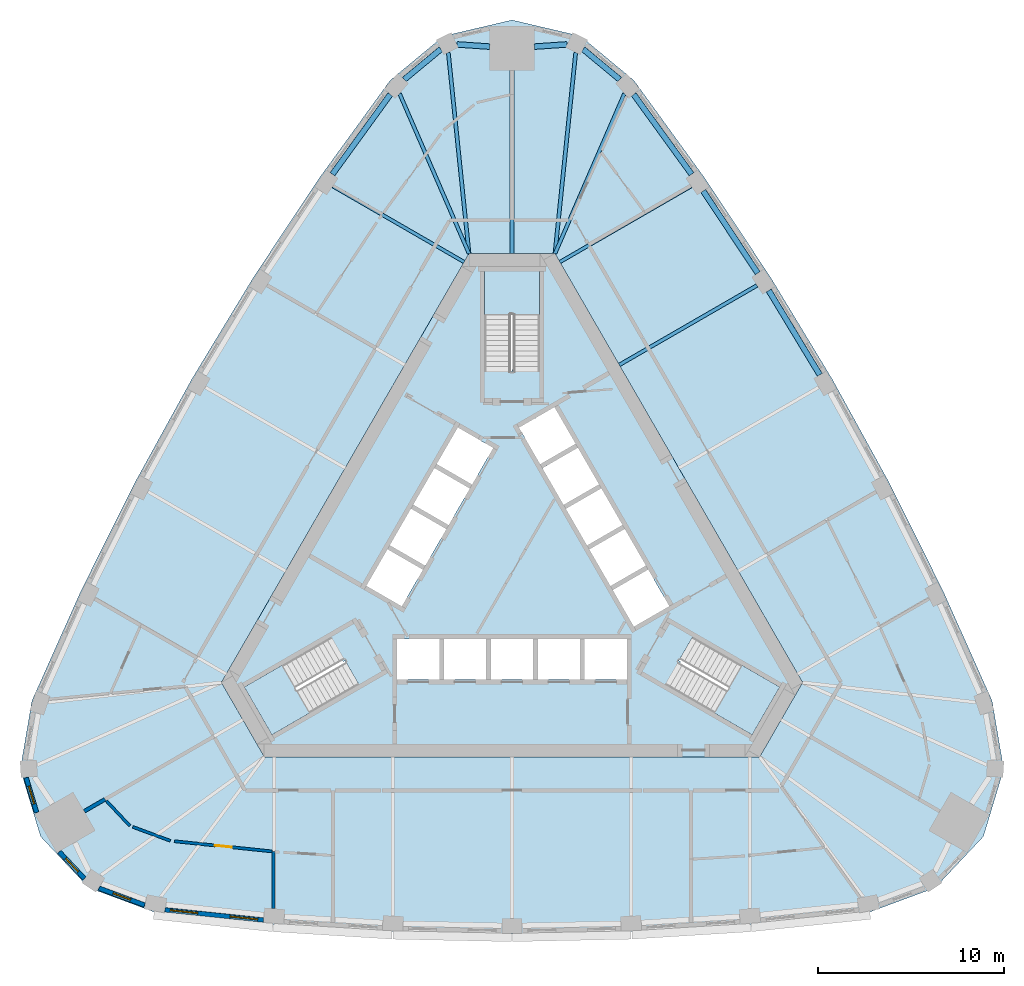
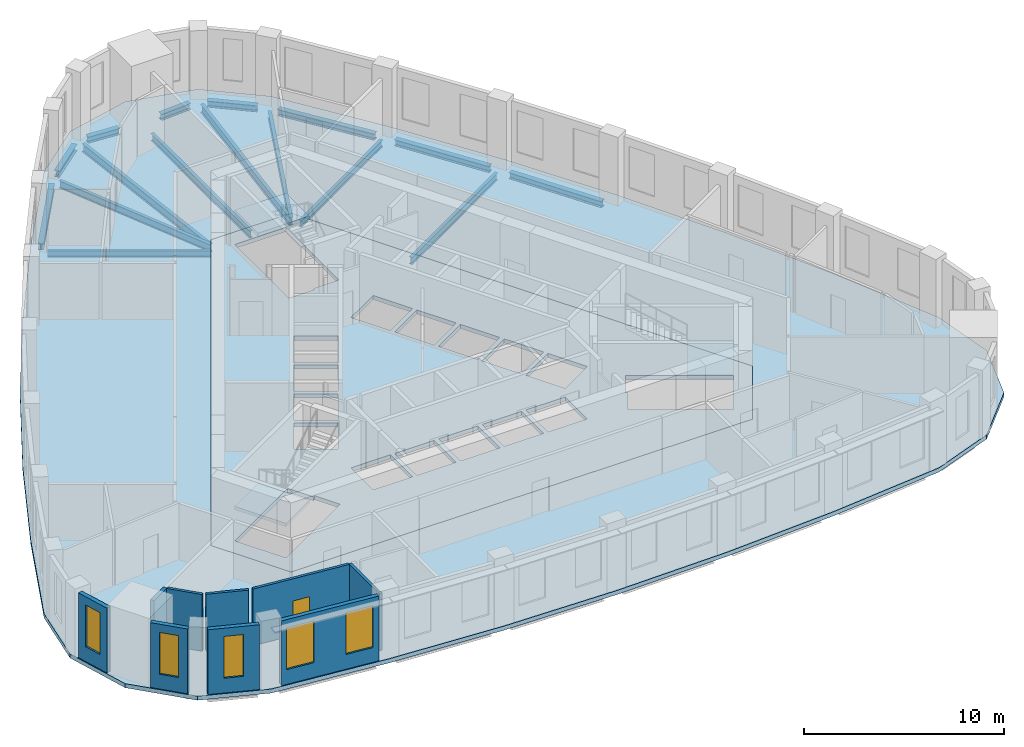
# One storey, part 2 of 10: 16 beams, 9 walls, 5 slabs, 5 windows, 1 door, 6 openings, 3 elements without a shape of their own.
"""IFC4 building model written with IfcOpenShell, lengths in metres."""

import ifcopenshell
import ifcopenshell.guid

model = None  # the IFC model being written
_history = None  # IfcOwnerHistory: only IFC2X3 demands one
_inside = {}  # id of a spatial element -> (the spatial element, [elements in it])
_under = {}  # id of a project, library or spatial element -> (it, [spatial elements below it])
_declared = {}  # id of a project -> (the project, [libraries it declares])
_typed = {}  # id of a type object -> (the type object, [elements of that type])
_made_of = {}  # id of a material, layer set ... -> (it, [elements and type objects made of it])


def new_model(schema):
    """Start an empty IFC model of exactly this schema.

    Asked for "IFC4X3", IfcOpenShell would pick the latest addendum, in which some entities
    have other attributes; the version numbers below select the first issue.
    IFC2X3 requires an IfcOwnerHistory on every rooted entity: one is made here for all.
    """
    global model, _history
    if schema == "IFC4X3":
        model = ifcopenshell.file(schema_version=(4, 3, 0, 0))
    else:
        model = ifcopenshell.file(schema=schema)
    _inside.clear()
    _under.clear()
    _declared.clear()
    _typed.clear()
    _made_of.clear()
    _history = None
    if model.schema == "IFC2X3":
        org = make("IfcOrganization", Name="unknown")
        user = make(
            "IfcPersonAndOrganization",
            ThePerson=make("IfcPerson", FamilyName="unknown"),
            TheOrganization=org,
        )
        app = make(
            "IfcApplication",
            ApplicationDeveloper=org,
            Version="unknown",
            ApplicationFullName="unknown",
            ApplicationIdentifier="unknown",
        )
        _history = make(
            "IfcOwnerHistory",
            OwningUser=user,
            OwningApplication=app,
            ChangeAction="ADDED",
            CreationDate=0,
        )
    return model


def make(cls, **values):
    """One entity of the class cls with the attributes given. An attribute that is None is left unset."""
    return model.create_entity(
        cls, **{name: value for name, value in values.items() if value is not None}
    )


def rooted(cls, **values):
    """An entity with a GlobalId (a new one), such as an element, a storey or a relation."""
    return make(cls, GlobalId=ifcopenshell.guid.new(), OwnerHistory=_history, **values)


def si_unit(unit_type, name, prefix=None):
    """IfcSIUnit, for example si_unit("LENGTHUNIT", "METRE", prefix="MILLI")."""
    return make("IfcSIUnit", UnitType=unit_type, Prefix=prefix, Name=name)


def assignment(units):
    """IfcUnitAssignment: the units of a project."""
    return None if units is None else make("IfcUnitAssignment", Units=units)


def point(xyz):
    """IfcCartesianPoint."""
    return None if xyz is None else make("IfcCartesianPoint", Coordinates=xyz)


def direction(xyz):
    """IfcDirection."""
    return None if xyz is None else make("IfcDirection", DirectionRatios=xyz)


def frame(location, z_axis=None, x_axis=None):
    """IfcAxis2Placement3D, a coordinate frame: its origin and axes. An axis left out is left unset."""
    return make(
        "IfcAxis2Placement3D",
        Location=point(location),
        Axis=direction(z_axis),
        RefDirection=direction(x_axis),
    )


def frame_2d(location, x_axis=None):
    """IfcAxis2Placement2D, a coordinate frame in the plane: its origin and x axis."""
    return make(
        "IfcAxis2Placement2D", Location=point(location), RefDirection=direction(x_axis)
    )


def origin():
    """The frame at (0, 0, 0) with its axes left unset."""
    return frame((0.0, 0.0, 0.0))


def origin_2d():
    """The frame at (0, 0) in the plane with its x axis left unset."""
    return frame_2d((0.0, 0.0))


def place(relative_to, where):
    """IfcLocalPlacement: puts the frame where relative to a parent placement (None: the world)."""
    return make(
        "IfcLocalPlacement", PlacementRelTo=relative_to, RelativePlacement=where
    )


def context(
    kind, dimensions, precision=None, world=None, true_north=None, identifier=None
):
    """IfcGeometricRepresentationContext, for example the 3D "Model" context."""
    return make(
        "IfcGeometricRepresentationContext",
        ContextIdentifier=identifier,
        ContextType=kind,
        CoordinateSpaceDimension=dimensions,
        Precision=precision,
        WorldCoordinateSystem=world,
        TrueNorth=true_north,
    )


def subcontext(parent, identifier, kind, view, scale=None):
    """IfcGeometricRepresentationSubContext, for example "Body" below "Model"."""
    return make(
        "IfcGeometricRepresentationSubContext",
        ContextIdentifier=identifier,
        ContextType=kind,
        ParentContext=parent,
        TargetScale=scale,
        TargetView=view,
    )


def project(units=None, contexts=None):
    """IfcProject with its units and contexts."""
    return rooted(
        "IfcProject",
        Name="project",
        RepresentationContexts=contexts,
        UnitsInContext=assignment(units),
    )


def spatial(cls, under=None, at=None, **own):
    """A site, building, storey or space (cls), placed at a placement, below another one or the project."""
    s = rooted(cls, ObjectPlacement=at, **own)
    if under is not None:
        _under.setdefault(under.id(), (under, []))[1].append(s)
    return s


def polyline(points):
    """IfcPolyline through the points."""
    return make("IfcPolyline", Points=[point(p) for p in points])


def profile(cls, at=None, kind="AREA", **sizes):
    """A parametric profile (cls). Its sizes go by their IFC names, for example OverallWidth=200.0."""
    return make(cls, ProfileType=kind, Position=at, **sizes)


def rectangle(**sizes):
    """IfcRectangleProfileDef."""
    return profile("IfcRectangleProfileDef", **sizes)


def i_section(**sizes):
    """IfcIShapeProfileDef."""
    return profile("IfcIShapeProfileDef", **sizes)


def outline(outer, holes=None, kind="AREA"):
    """IfcArbitraryClosedProfileDef: a profile drawn as a closed curve; with holes, ...WithVoids."""
    if holes is None:
        return make("IfcArbitraryClosedProfileDef", ProfileType=kind, OuterCurve=outer)
    return make(
        "IfcArbitraryProfileDefWithVoids",
        ProfileType=kind,
        OuterCurve=outer,
        InnerCurves=holes,
    )


def extrude(swept, where, along, depth):
    """IfcExtrudedAreaSolid: the profile swept, set in the frame where, extruded along a direction by depth."""
    return make(
        "IfcExtrudedAreaSolid",
        SweptArea=swept,
        Position=where,
        ExtrudedDirection=direction(along),
        Depth=depth,
    )


def shape(context_of_items, identifier, shape_type, items):
    """IfcShapeRepresentation: the items that make up one representation, for example the "Body"."""
    return make(
        "IfcShapeRepresentation",
        ContextOfItems=context_of_items,
        RepresentationIdentifier=identifier,
        RepresentationType=shape_type,
        Items=items,
    )


def material(Name=None, Category=None):
    """IfcMaterial."""
    return make("IfcMaterial", Name=Name, Category=Category)


def layer(
    of_material, thickness, ventilated=None, Name=None, Category=None, Priority=None
):
    """IfcMaterialLayer: one layer of a wall or slab, of a material (None: an air gap)."""
    return make(
        "IfcMaterialLayer",
        Material=of_material,
        LayerThickness=thickness,
        IsVentilated=ventilated,
        Name=Name,
        Category=Category,
        Priority=Priority,
    )


def layer_set(layers, Name=None):
    """IfcMaterialLayerSet."""
    return make("IfcMaterialLayerSet", MaterialLayers=layers, LayerSetName=Name)


def material_profile(
    of_material, cross_section, Name=None, Category=None, Priority=None
):
    """IfcMaterialProfile: a cross section and its material."""
    return make(
        "IfcMaterialProfile",
        Name=Name,
        Material=of_material,
        Profile=cross_section,
        Priority=Priority,
        Category=Category,
    )


def profile_set(profiles, Name=None, composite=None):
    """IfcMaterialProfileSet."""
    return make(
        "IfcMaterialProfileSet",
        Name=Name,
        MaterialProfiles=profiles,
        CompositeProfile=composite,
    )


def made_of(thing, what):
    """Note that an element or type object is made of a material, layer set ...; save() writes the relation."""
    if what is not None:
        _made_of.setdefault(what.id(), (what, []))[1].append(thing)
    return thing


def type_object(cls, material=None, **own):
    """A type object (cls), such as IfcWallType, which elements share."""
    return made_of(rooted(cls, **own), material)


def element(
    cls,
    number,
    at=None,
    inside=None,
    cuts=None,
    type_object=None,
    material=None,
    context=None,
    identifier="Body",
    shape_type=None,
    held_by="IfcProductDefinitionShape",
    body=None,
    shapes=None,
    **own,
):
    """One element of the class cls, such as IfcWall. Its Tag is "e" and its number.

    at: its placement. inside: the storey or other place that contains it. cuts: it is an
    opening in that element (IfcRelVoidsElement). A single representation is given by context,
    identifier, shape_type and body (its items); several are given by shapes. held_by: the class
    of the entity that holds the representations. save() writes the other relations.
    """
    e = rooted(cls, Tag="e%d" % number, ObjectPlacement=at, **own)
    if body is not None:
        shapes = [shape(context, identifier, shape_type, body)]
    if shapes is not None:
        e.Representation = make(held_by, Representations=shapes)
    if inside is not None:
        _inside.setdefault(inside.id(), (inside, []))[1].append(e)
    if cuts is not None:
        rooted(
            "IfcRelVoidsElement", RelatingBuildingElement=cuts, RelatedOpeningElement=e
        )
    if type_object is not None:
        _typed.setdefault(type_object.id(), (type_object, []))[1].append(e)
    return made_of(e, material)


def fill(opening, filler):
    """IfcRelFillsElement: the door or window that sits in an opening."""
    return rooted(
        "IfcRelFillsElement",
        RelatingOpeningElement=opening,
        RelatedBuildingElement=filler,
    )


def aggregate(whole, parts):
    """IfcRelAggregates: a whole, such as a stair, and the parts it consists of."""
    return rooted("IfcRelAggregates", RelatingObject=whole, RelatedObjects=parts)


def save(model, path):
    """Write the relations noted so far, then the file.

    IfcRelAggregates (storeys below a building ...), IfcRelContainedInSpatialStructure (elements
    in a storey), IfcRelDefinesByType, IfcRelAssociatesMaterial and IfcRelDeclares: one each for
    every whole, place, type object, material and project.
    """
    for whole, parts in _under.values():
        aggregate(whole, parts)
    for where, things in _inside.values():
        rooted(
            "IfcRelContainedInSpatialStructure",
            RelatedElements=things,
            RelatingStructure=where,
        )
    for kind, things in _typed.values():
        rooted("IfcRelDefinesByType", RelatedObjects=things, RelatingType=kind)
    for what, things in _made_of.values():
        rooted("IfcRelAssociatesMaterial", RelatedObjects=things, RelatingMaterial=what)
    for by, libraries in _declared.values():
        rooted("IfcRelDeclares", RelatingContext=by, RelatedDefinitions=libraries)
    model.write(path)


model = new_model("IFC4")

# Units and contexts
model_context = context("Model", 3, precision=1e-05, world=origin(), true_north=direction((0.0, 1.0)))
body_context = subcontext(model_context, "Body", "Model", "MODEL_VIEW")
ifc_project = project(units=[si_unit("LENGTHUNIT", "METRE"), si_unit("AREAUNIT", "SQUARE_METRE"), si_unit("VOLUMEUNIT", "CUBIC_METRE"), si_unit("PLANEANGLEUNIT", "RADIAN"), si_unit("MASSUNIT", "GRAM", prefix="KILO")], contexts=[model_context])

# Site, building, storey
site_placement = place(None, origin())
site = spatial("IfcSite", under=ifc_project, at=site_placement, CompositionType="ELEMENT")
building_placement = place(site_placement, origin())
building = spatial("IfcBuilding", under=site, at=building_placement, Name="Mestral Congress Tower", CompositionType="ELEMENT")
storey_placement = place(building_placement, frame((0.0, 0.0, 239.39990234375)))
storey = spatial("IfcBuildingStorey", under=building, at=storey_placement, Name="L56", CompositionType="ELEMENT", Elevation=239.39990234375)

# Beams
ifc_material_1 = material(Name="Steel S355", Category="steel")
ifc_material_profile_1 = material_profile(ifc_material_1, i_section(OverallWidth=0.179931640625, OverallDepth=0.39990234375, WebThickness=0.008544921875, FlangeThickness=0.013427734375, FilletRadius=0.02099609375, at=origin_2d()), Name="IPE 400")
ifc_profile_set_1 = profile_set([ifc_material_profile_1], Name="Steel S355")
beam_type_1 = type_object("IfcBeamType", Name="Floor beam IPE 400 S355", PredefinedType="BEAM", material=ifc_profile_set_1)
for number, where, z_axis, x_axis, name in (
    (1, (9.627197265625, 20.321533203125, -0.449951171875), (-0.86601443812, -0.500018992608, 0.0), (0.500018992608, -0.86601443812, 0.0), "BM-L56-RB4-E05"),
    (2, (-9.627197265625, 20.321533203125, -0.449951171875), (0.86601443812, -0.500018992608, 0.0), (0.500018992608, 0.86601443812, 0.0), "BM-L56-RB4-W01"),
):
    element("IfcBeam", number, at=place(storey_placement, frame(where, z_axis=z_axis, x_axis=x_axis)), inside=storey, type_object=beam_type_1, Name=name, PredefinedType="BEAM", context=body_context, shape_type="SweptSolid", body=[
        extrude(i_section(OverallWidth=0.179931640625, OverallDepth=0.39990234375, WebThickness=0.008544921875, FlangeThickness=0.013427734375, FilletRadius=0.02099609375, at=origin_2d()), origin(), (0.0, 0.0, 1.0), 8.148193359375),
    ])
ifc_material_profile_2 = material_profile(ifc_material_1, i_section(OverallWidth=0.18994140625, OverallDepth=0.449951171875, WebThickness=0.009521484375, FlangeThickness=0.0146484375, FilletRadius=0.02099609375, at=origin_2d()), Name="IPE 450")
ifc_profile_set_2 = profile_set([ifc_material_profile_2], Name="Steel S355")
beam_type_2 = type_object("IfcBeamType", Name="Floor beam IPE 450 S355", PredefinedType="BEAM", material=ifc_profile_set_2)
beam_1_placement = place(storey_placement, frame((13.16650390625, 14.98974609375, -0.474853515625), z_axis=(-0.866028621479, -0.499994426748, 0.0), x_axis=(0.499994426748, -0.866028621479, 0.0)))
element("IfcBeam", 3, at=beam_1_placement, inside=storey, type_object=beam_type_2, Name="BM-L56-RB4-E04", PredefinedType="BEAM", context=body_context, shape_type="SweptSolid", body=[
    extrude(i_section(OverallWidth=0.18994140625, OverallDepth=0.449951171875, WebThickness=0.009521484375, FlangeThickness=0.0146484375, FilletRadius=0.02099609375, at=origin_2d()), origin(), (0.0, 0.0, 1.0), 8.54736328125),
])
beam_2_placement = place(storey_placement, frame((6.0419921875, 25.296875, -0.474853515625), z_axis=(-0.398265997009, -0.91726996878, 0.0), x_axis=(0.91726996878, -0.398265997009, 0.0)))
element("IfcBeam", 4, at=beam_2_placement, inside=storey, type_object=beam_type_2, Name="BM-L56-RB4-E06", PredefinedType="BEAM", context=body_context, shape_type="SweptSolid", body=[
    extrude(i_section(OverallWidth=0.18994140625, OverallDepth=0.449951171875, WebThickness=0.009521484375, FlangeThickness=0.0146484375, FilletRadius=0.02099609375, at=origin_2d()), origin(), (0.0, 0.0, 1.0), 9.372314453125),
])
beam_3_placement = place(storey_placement, frame((0.0, 26.54443359375, -0.474853515625), z_axis=(0.0, -1.0, 0.0), x_axis=(1.0, 0.0, 0.0)))
element("IfcBeam", 5, at=beam_3_placement, inside=storey, type_object=beam_type_2, Name="BM-L56-RB4-N", PredefinedType="BEAM", context=body_context, shape_type="SweptSolid", body=[
    extrude(i_section(OverallWidth=0.18994140625, OverallDepth=0.449951171875, WebThickness=0.009521484375, FlangeThickness=0.0146484375, FilletRadius=0.02099609375, at=origin_2d()), origin(), (0.0, 0.0, 1.0), 9.844482421875),
])
beam_4_placement = place(storey_placement, frame((-6.0419921875, 25.296875, -0.474853515625), z_axis=(0.398265997009, -0.91726996878, 0.0), x_axis=(0.91726996878, 0.398265997009, 0.0)))
element("IfcBeam", 6, at=beam_4_placement, inside=storey, type_object=beam_type_2, Name="BM-L56-RB4-W00", PredefinedType="BEAM", context=body_context, shape_type="SweptSolid", body=[
    extrude(i_section(OverallWidth=0.18994140625, OverallDepth=0.449951171875, WebThickness=0.009521484375, FlangeThickness=0.0146484375, FilletRadius=0.02099609375, at=origin_2d()), origin(), (0.0, 0.0, 1.0), 9.372314453125),
])
ifc_material_profile_3 = material_profile(ifc_material_1, i_section(OverallWidth=0.199951171875, OverallDepth=0.5, WebThickness=0.01025390625, FlangeThickness=0.01611328125, FilletRadius=0.02099609375, at=origin_2d()), Name="IPE 500")
ifc_profile_set_3 = profile_set([ifc_material_profile_3], Name="Steel S355")
beam_type_3 = type_object("IfcBeamType", Name="Floor beam IPE 500 S355", PredefinedType="BEAM", material=ifc_profile_set_3)
for number, where, z_axis, x_axis, name in (
    (7, (3.4228515625, 27.5009765625, -0.5), (-0.102550876252, -0.994727760636, 0.0), (0.994727760636, -0.102550876252, 0.0), "BM-L56-RB4-N1"),
    (8, (-3.4228515625, 27.5009765625, -0.5), (0.102550876252, -0.994727760636, 0.0), (0.994727760636, 0.102550876252, 0.0), "BM-L56-RB4-N3"),
):
    element("IfcBeam", number, at=place(storey_placement, frame(where, z_axis=z_axis, x_axis=x_axis)), inside=storey, type_object=beam_type_3, Name=name, PredefinedType="BEAM", context=body_context, shape_type="SweptSolid", body=[
        extrude(i_section(OverallWidth=0.199951171875, OverallDepth=0.5, WebThickness=0.01025390625, FlangeThickness=0.01611328125, FilletRadius=0.02099609375, at=origin_2d()), origin(), (0.0, 0.0, 1.0), 10.858154296875),
    ])
ifc_material_profile_4 = material_profile(ifc_material_1, i_section(OverallWidth=0.300048828125, OverallDepth=0.389892578125, WebThickness=0.010986328125, FlangeThickness=0.01904296875, FilletRadius=0.027099609375, at=origin_2d()), Name="HEA 400")
ifc_profile_set_4 = profile_set([ifc_material_profile_4], Name="Steel S355")
beam_type_4 = type_object("IfcBeamType", Name="Spandrel beam HEA 400 S355", PredefinedType="BEAM", material=ifc_profile_set_4)
for number, where, z_axis, x_axis, name in (
    (9, (16.54248046875, 10.185791015625, -0.44482421875), (-0.517865676042, 0.855461946306, 0.0), (-0.855461946306, -0.517865676042, 0.0), "SP-L56-SB4-E03"),
    (10, (13.209228515625, 15.648193359375, -0.44482421875), (-0.552934106774, 0.833224983762, 0.0), (-0.833224983762, -0.552934106774, 0.0), "SP-L56-SB4-E04"),
):
    element("IfcBeam", number, at=place(storey_placement, frame(where, z_axis=z_axis, x_axis=x_axis)), inside=storey, type_object=beam_type_4, Name=name, PredefinedType="BEAM", context=body_context, shape_type="SweptSolid", body=[
        extrude(i_section(OverallWidth=0.300048828125, OverallDepth=0.389892578125, WebThickness=0.010986328125, FlangeThickness=0.01904296875, FilletRadius=0.027099609375, at=origin_2d()), origin(), (0.0, 0.0, 1.0), 5.29931640625),
    ])
beam_5_placement = place(storey_placement, frame((9.652099609375, 20.967529296875, -0.44482421875), z_axis=(-0.587017415163, 0.809574304369, 0.0), x_axis=(-0.809574304369, -0.587017415163, 0.0)))
element("IfcBeam", 11, at=beam_5_placement, inside=storey, type_object=beam_type_4, Name="SP-L56-SB4-E05", PredefinedType="BEAM", context=body_context, shape_type="SweptSolid", body=[
    extrude(i_section(OverallWidth=0.300048828125, OverallDepth=0.389892578125, WebThickness=0.010986328125, FlangeThickness=0.01904296875, FilletRadius=0.027099609375, at=origin_2d()), origin(), (0.0, 0.0, 1.0), 5.29736328125),
])
beam_6_placement = place(storey_placement, frame((5.789306640625, 26.058837890625, -0.44482421875), z_axis=(-0.769970431757, 0.638079567311, 0.0), x_axis=(-0.638079567311, -0.769970431757, 0.0)))
element("IfcBeam", 12, at=beam_6_placement, inside=storey, type_object=beam_type_4, Name="SP-L56-SB4-E06", PredefinedType="BEAM", context=body_context, shape_type="SweptSolid", body=[
    extrude(i_section(OverallWidth=0.300048828125, OverallDepth=0.389892578125, WebThickness=0.010986328125, FlangeThickness=0.01904296875, FilletRadius=0.027099609375, at=origin_2d()), origin(), (0.0, 0.0, 1.0), 2.547119140625),
])
for number, where, z_axis, x_axis, name in (
    (13, (2.9521484375, 27.94384765625, -0.44482421875), (-0.997724466462, -0.067423208337, 0.0), (0.067423208337, -0.997724466462, 0.0), "SP-L56-SB4-N1"),
    (14, (-1.199951171875, 27.825439453125, -0.44482421875), (-0.997724466462, 0.067423208337, 0.0), (-0.067423208337, -0.997724466462, 0.0), "SP-L56-SB4-N"),
):
    element("IfcBeam", number, at=place(storey_placement, frame(where, z_axis=z_axis, x_axis=x_axis)), inside=storey, type_object=beam_type_4, Name=name, PredefinedType="BEAM", context=body_context, shape_type="SweptSolid", body=[
        extrude(i_section(OverallWidth=0.300048828125, OverallDepth=0.389892578125, WebThickness=0.010986328125, FlangeThickness=0.01904296875, FilletRadius=0.027099609375, at=origin_2d()), origin(), (0.0, 0.0, 1.0), 1.756103515625),
    ])
beam_7_placement = place(storey_placement, frame((-3.828125, 27.68408203125, -0.44482421875), z_axis=(-0.769970431757, -0.638079567311, 0.0), x_axis=(0.638079567311, -0.769970431757, 0.0)))
element("IfcBeam", 15, at=beam_7_placement, inside=storey, type_object=beam_type_4, Name="SP-L56-SB4-N3", PredefinedType="BEAM", context=body_context, shape_type="SweptSolid", body=[
    extrude(i_section(OverallWidth=0.300048828125, OverallDepth=0.389892578125, WebThickness=0.010986328125, FlangeThickness=0.01904296875, FilletRadius=0.027099609375, at=origin_2d()), origin(), (0.0, 0.0, 1.0), 2.547119140625),
])
beam_8_placement = place(storey_placement, frame((-6.54248046875, 25.256103515625, -0.44482421875), z_axis=(-0.587017415163, -0.809574304369, 0.0), x_axis=(0.809574304369, -0.587017415163, 0.0)))
element("IfcBeam", 16, at=beam_8_placement, inside=storey, type_object=beam_type_4, Name="SP-L56-SB4-W00", PredefinedType="BEAM", context=body_context, shape_type="SweptSolid", body=[
    extrude(i_section(OverallWidth=0.300048828125, OverallDepth=0.389892578125, WebThickness=0.010986328125, FlangeThickness=0.01904296875, FilletRadius=0.027099609375, at=origin_2d()), origin(), (0.0, 0.0, 1.0), 5.29736328125),
])

# Slabs
ifc_material_2 = material(Name="Concrete C35/45", Category="concrete")
ifc_layer_1 = layer(ifc_material_2, 0.25)
ifc_layer_set_1 = layer_set([ifc_layer_1], Name="Concrete C35/45")
slab_type_1 = type_object("IfcSlabType", Name="Composite floor slab 250", PredefinedType="FLOOR", material=ifc_layer_set_1)
placement_1 = place(storey_placement, frame((0.0, 0.0, -0.25)))
element("IfcSlab", 17, at=placement_1, inside=storey, type_object=slab_type_1, Name="SL-L56", PredefinedType="FLOOR", context=body_context, shape_type="SweptSolid", body=[
    extrude(outline(polyline([(-19.253662109375, -18.678466796875), (-22.75, -17.381591796875), (-25.3369140625, -14.62841796875), (-26.427978515625, -11.01123046875), (-25.802978515625, -7.334716796875), (-23.16748046875, -1.4306640625), (-20.310302734375, 4.316650390625), (-17.21728515625, 9.9404296875), (-13.8935546875, 15.430908203125), (-10.3447265625, 20.77880859375), (-6.54931640625, 26.013427734375), (-3.677978515625, 28.392822265625), (0.0, 29.256591796875), (3.677978515625, 28.392822265625), (6.54931640625, 26.013427734375), (10.3447265625, 20.77880859375), (13.8935546875, 15.430908203125), (17.21728515625, 9.9404296875), (20.310302734375, 4.316650390625), (23.16748046875, -1.4306640625), (25.802978515625, -7.334716796875), (26.427978515625, -11.01123046875), (25.3369140625, -14.62841796875), (22.75, -17.381591796875), (19.253662109375, -18.678466796875), (12.822509765625, -19.34814453125), (6.416748046875, -19.74755859375), (0.0, -19.880615234375), (-6.416748046875, -19.74755859375), (-12.822509765625, -19.34814453125), (-19.253662109375, -18.678466796875)]), holes=[polyline([(-2.309326171875, 16.699951171875), (-15.6171875, -6.35009765625), (-13.307861328125, -10.35009765625), (13.307861328125, -10.35009765625), (15.6171875, -6.35009765625), (2.309326171875, 16.699951171875), (-2.309326171875, 16.699951171875)])]), origin(), (0.0, 0.0, 1.0), 0.25),
])
ifc_material_3 = material(Name="Concrete C60/75", Category="concrete")
ifc_layer_2 = layer(ifc_material_3, 0.25)
ifc_layer_set_2 = layer_set([ifc_layer_2], Name="Concrete C60/75")
slab_type_2 = type_object("IfcSlabType", Name="Core floor slab RC 250", PredefinedType="FLOOR", material=ifc_layer_set_2)
element("IfcSlab", 18, at=placement_1, inside=storey, type_object=slab_type_2, Name="L56 core floor", PredefinedType="FLOOR", context=body_context, shape_type="SweptSolid", body=[
    extrude(outline(polyline([(13.307861328125, -10.35009765625), (-13.307861328125, -10.35009765625), (-15.6171875, -6.35009765625), (-2.309326171875, 16.699951171875), (2.309326171875, 16.699951171875), (15.6171875, -6.35009765625), (13.307861328125, -10.35009765625)]), holes=[polyline([(-9.8046875, -3.95751953125), (-14.37744140625, -6.59765625), (-12.90234375, -9.15234375), (-8.234619140625, -6.45751953125), (-8.971923828125, -5.179931640625), (-9.0673828125, -5.235107421875), (-9.8046875, -3.95751953125)]), polyline([(-3.905029296875, -4.0), (-6.175048828125, -4.0), (-6.175048828125, -6.199951171875), (-3.905029296875, -6.199951171875), (-3.905029296875, -4.0)]), polyline([(-1.385009765625, -4.0), (-3.655029296875, -4.0), (-3.655029296875, -6.199951171875), (-1.385009765625, -6.199951171875), (-1.385009765625, -4.0)]), polyline([(1.135009765625, -4.0), (-1.135009765625, -4.0), (-1.135009765625, -6.199951171875), (1.135009765625, -6.199951171875), (1.135009765625, -4.0)]), polyline([(-5.921630859375, -2.256591796875), (-4.78662109375, -0.29052734375), (-6.69189453125, 0.809326171875), (-7.826904296875, -1.156494140625), (-5.921630859375, -2.256591796875)]), polyline([(-4.66162109375, -0.07421875), (-3.526611328125, 1.8916015625), (-5.431884765625, 2.99169921875), (-6.56689453125, 1.02587890625), (-4.66162109375, -0.07421875)]), polyline([(-3.401611328125, 2.1083984375), (-2.2666015625, 4.07421875), (-4.171875, 5.174072265625), (-5.306884765625, 3.208251953125), (-3.401611328125, 2.1083984375)]), polyline([(-2.1416015625, 4.29052734375), (-1.006591796875, 6.256591796875), (-2.911865234375, 7.3564453125), (-4.046875, 5.390625), (-2.1416015625, 4.29052734375)]), polyline([(1.47509765625, 10.469970703125), (1.47509765625, 15.75), (-1.47509765625, 15.75), (-1.47509765625, 10.360107421875), (0.0, 10.360107421875), (0.0, 10.469970703125), (1.47509765625, 10.469970703125)]), polyline([(8.329833984375, -6.512451171875), (12.90234375, -9.15234375), (14.37744140625, -6.59765625), (9.70947265625, -3.902587890625), (8.971923828125, -5.179931640625), (9.0673828125, -5.235107421875), (8.329833984375, -6.512451171875)]), polyline([(3.655029296875, -4.0), (1.385009765625, -4.0), (1.385009765625, -6.199951171875), (3.655029296875, -6.199951171875), (3.655029296875, -4.0)]), polyline([(6.175048828125, -4.0), (3.905029296875, -4.0), (3.905029296875, -6.199951171875), (6.175048828125, -6.199951171875), (6.175048828125, -4.0)]), polyline([(5.41650390625, -1.3818359375), (6.551513671875, -3.34765625), (8.456787109375, -2.247802734375), (7.322021484375, -0.28173828125), (5.41650390625, -1.3818359375)]), polyline([(4.156494140625, 0.800537109375), (5.29150390625, -1.165283203125), (7.197021484375, -0.065185546875), (6.06201171875, 1.900634765625), (4.156494140625, 0.800537109375)]), polyline([(2.896484375, 2.98291015625), (4.031494140625, 1.01708984375), (5.93701171875, 2.1171875), (4.802001953125, 4.0830078125), (2.896484375, 2.98291015625)]), polyline([(3.5419921875, 6.265380859375), (1.63671875, 5.165283203125), (2.771484375, 3.199462890625), (4.677001953125, 4.29931640625), (3.5419921875, 6.265380859375)]), polyline([(2.281982421875, 8.44775390625), (0.376708984375, 7.34765625), (1.51171875, 5.3818359375), (3.4169921875, 6.481689453125), (2.281982421875, 8.44775390625)])]), origin(), (0.0, 0.0, 1.0), 0.25),
])

# Stair, slab
stair_type = type_object("IfcStairType", Name="Exit stair 1400", PredefinedType="HALF_TURN_STAIR", material=ifc_material_3)
placement_2 = place(storey_placement, origin())
stair_1 = element("IfcStair", 19, at=placement_2, inside=storey, type_object=stair_type, Name="L56 ST1", PredefinedType="HALF_TURN_STAIR")
ifc_layer_3 = layer(ifc_material_3, 0.199951171875)
ifc_layer_set_3 = layer_set([ifc_layer_3], Name="Concrete C60/75")
slab_type_3 = type_object("IfcSlabType", Name="Exit stair landing 200", PredefinedType="LANDING", material=ifc_layer_set_3)
placement_3 = place(storey_placement, frame((0.0, 0.0, 1.900146484375)))
slab_3 = element("IfcSlab", 20, at=placement_3, type_object=slab_type_3, Name="ST1 landing 1", PredefinedType="LANDING", context=body_context, shape_type="SweptSolid", body=[
    extrude(outline(polyline([(10.879638671875, -7.99609375), (12.364501953125, -5.424072265625), (14.39111328125, -6.593994140625), (12.906005859375, -9.166015625), (10.879638671875, -7.99609375)])), origin(), (0.0, 0.0, 1.0), 0.199951171875),
])
aggregate(stair_1, [slab_3])

stair_2 = element("IfcStair", 21, at=placement_2, inside=storey, type_object=stair_type, Name="L56 ST2", PredefinedType="HALF_TURN_STAIR")
slab_4 = element("IfcSlab", 22, at=placement_3, type_object=slab_type_3, Name="ST2 landing 1", PredefinedType="LANDING", context=body_context, shape_type="SweptSolid", body=[
    extrude(outline(polyline([(1.485107421875, 13.419921875), (-1.485107421875, 13.419921875), (-1.485107421875, 15.760009765625), (1.485107421875, 15.760009765625), (1.485107421875, 13.419921875)])), origin(), (0.0, 0.0, 1.0), 0.199951171875),
])
aggregate(stair_2, [slab_4])

stair_3 = element("IfcStair", 23, at=placement_2, inside=storey, type_object=stair_type, Name="L56 ST3", PredefinedType="HALF_TURN_STAIR")
slab_5 = element("IfcSlab", 24, at=placement_3, type_object=slab_type_3, Name="ST3 landing 1", PredefinedType="LANDING", context=body_context, shape_type="SweptSolid", body=[
    extrude(outline(polyline([(-12.364501953125, -5.424072265625), (-10.879638671875, -7.99609375), (-12.906005859375, -9.166015625), (-14.39111328125, -6.593994140625), (-12.364501953125, -5.424072265625)])), origin(), (0.0, 0.0, 1.0), 0.199951171875),
])
aggregate(stair_3, [slab_5])

# Wall, openings, windows
ifc_material_4 = material(Name="Precast concrete C40/50 with limestone facing", Category="masonry")
ifc_layer_4 = layer(ifc_material_4, 0.239990234375)
ifc_layer_set_4 = layer_set([ifc_layer_4], Name="Precast concrete C40/50 with limestone facing")
wall_type_1 = type_object("IfcWallType", Name="Facade stone wall 240", PredefinedType="SOLIDWALL", material=ifc_layer_set_4)
wall_1_placement = place(storey_placement, frame((-18.644287109375, -18.571044921875, 0.0), z_axis=(0.0, 0.0, 1.0), x_axis=(0.994621961215, -0.103571976272, 0.0)))
wall_1 = element("IfcWall", 25, at=wall_1_placement, inside=storey, type_object=wall_type_1, Name="Facade wall F0-00", PredefinedType="SOLIDWALL", context=body_context, shape_type="SweptSolid", body=[
    extrude(rectangle(XDim=5.310791015625, YDim=0.239990234375, at=frame_2d((2.6552734375, 0.0))), origin(), (0.0, 0.0, 1.0), 3.9501953125),
])
opening_1_placement = place(wall_1_placement, frame((0.271484375, 0.0, 0.89990234375)))
opening_1 = element("IfcOpeningElement", 26, at=opening_1_placement, cuts=wall_1, Name="Opening W4", PredefinedType="OPENING", context=body_context, shape_type="SweptSolid", body=[
    extrude(rectangle(XDim=1.5, YDim=2.550048828125, at=frame_2d((0.75, 1.27490234375))), frame((0.0, 0.1298828125, 0.0), z_axis=(0.0, -1.0, 0.0), x_axis=(1.0, 0.0, 0.0)), (0.0, 0.0, 1.0), 0.260009765625),
])
opening_2_placement = place(wall_1_placement, frame((3.50439453125, 0.0, 0.89990234375)))
opening_2 = element("IfcOpeningElement", 27, at=opening_2_placement, cuts=wall_1, Name="Opening W4", PredefinedType="OPENING", context=body_context, shape_type="SweptSolid", body=[
    extrude(rectangle(XDim=1.5, YDim=2.550048828125, at=frame_2d((0.75, 1.27490234375))), frame((0.0, 0.1298828125, 0.0), z_axis=(0.0, -1.0, 0.0), x_axis=(1.0, 0.0, 0.0)), (0.0, 0.0, 1.0), 0.260009765625),
])
ifc_material_5 = material(Name="Clear low-emissivity double glazing", Category="glass")
window_type_1 = type_object("IfcWindowType", Name="Facade punched window 1500 x 2550 sill 900", PartitioningType="SINGLE_PANEL", PredefinedType="WINDOW", material=ifc_material_5)
window_1_placement = place(opening_1_placement, origin())
window_1 = element("IfcWindow", 28, at=window_1_placement, inside=storey, type_object=window_type_1, Name="Window F0-00a", OverallHeight=2.550048828125, OverallWidth=1.5, PartitioningType="SINGLE_PANEL", PredefinedType="WINDOW", context=body_context, shape_type="SweptSolid", body=[
    extrude(rectangle(XDim=1.5, YDim=2.550048828125, at=frame_2d((0.75, 1.27490234375))), frame((0.0, 0.0400390625, 0.0), z_axis=(0.0, -1.0, 0.0), x_axis=(1.0, 0.0, 0.0)), (0.0, 0.0, 1.0), 0.06005859375),
])
fill(opening_1, window_1)
window_2_placement = place(opening_2_placement, origin())
window_2 = element("IfcWindow", 29, at=window_2_placement, inside=storey, type_object=window_type_1, Name="Window F0-00b", OverallHeight=2.550048828125, OverallWidth=1.5, PartitioningType="SINGLE_PANEL", PredefinedType="WINDOW", context=body_context, shape_type="SweptSolid", body=[
    extrude(rectangle(XDim=1.5, YDim=2.550048828125, at=frame_2d((0.75, 1.27490234375))), frame((0.0, 0.0400390625, 0.0), z_axis=(0.0, -1.0, 0.0), x_axis=(1.0, 0.0, 0.0)), (0.0, 0.0, 1.0), 0.06005859375),
])
fill(opening_2, window_2)

# Wall, opening, window
wall_2_placement = place(storey_placement, frame((-26.1123046875, -11.469482421875, 0.0), z_axis=(0.0, 0.0, 1.0), x_axis=(0.288727209095, -0.957411405159, 0.0)))
wall_2 = element("IfcWall", 30, at=wall_2_placement, inside=storey, type_object=wall_type_1, Name="Facade wall K2-1", PredefinedType="SOLIDWALL", context=body_context, shape_type="SweptSolid", body=[
    extrude(rectangle(XDim=1.9482421875, YDim=0.239990234375, at=frame_2d((0.97412109375, 0.0))), origin(), (0.0, 0.0, 1.0), 3.9501953125),
])
opening_3_placement = place(wall_2_placement, frame((0.47412109375, 0.0, 0.89990234375)))
opening_3 = element("IfcOpeningElement", 31, at=opening_3_placement, cuts=wall_2, Name="Opening W5", PredefinedType="OPENING", context=body_context, shape_type="SweptSolid", body=[
    extrude(rectangle(XDim=1.0, YDim=2.550048828125, at=frame_2d((0.5, 1.27490234375))), frame((0.0, 0.1298828125, 0.0), z_axis=(0.0, -1.0, 0.0), x_axis=(1.0, 0.0, 0.0)), (0.0, 0.0, 1.0), 0.260009765625),
])
window_type_2 = type_object("IfcWindowType", Name="Facade punched window 1000 x 2550 sill 900", PartitioningType="SINGLE_PANEL", PredefinedType="WINDOW", material=ifc_material_5)
window_3_placement = place(opening_3_placement, origin())
window_3 = element("IfcWindow", 32, at=window_3_placement, inside=storey, type_object=window_type_2, Name="Window K2-1", OverallHeight=2.550048828125, OverallWidth=1.0, PartitioningType="SINGLE_PANEL", PredefinedType="WINDOW", context=body_context, shape_type="SweptSolid", body=[
    extrude(rectangle(XDim=1.0, YDim=2.550048828125, at=frame_2d((0.5, 1.27490234375))), frame((0.0, 0.0400390625, 0.0), z_axis=(0.0, -1.0, 0.0), x_axis=(1.0, 0.0, 0.0)), (0.0, 0.0, 1.0), 0.06005859375),
])
fill(opening_3, window_3)

wall_3_placement = place(storey_placement, frame((-24.322998046875, -15.459228515625, 0.0), z_axis=(0.0, 0.0, 1.0), x_axis=(0.684770274166, -0.728758994194, 0.0)))
wall_3 = element("IfcWall", 33, at=wall_3_placement, inside=storey, type_object=wall_type_1, Name="Facade wall K2-2", PredefinedType="SOLIDWALL", context=body_context, shape_type="SweptSolid", body=[
    extrude(rectangle(XDim=1.947998046875, YDim=0.239990234375, at=frame_2d((0.97412109375, 0.0))), origin(), (0.0, 0.0, 1.0), 3.9501953125),
])
opening_4_placement = place(wall_3_placement, frame((0.47412109375, 0.0, 0.89990234375)))
opening_4 = element("IfcOpeningElement", 34, at=opening_4_placement, cuts=wall_3, Name="Opening W5", PredefinedType="OPENING", context=body_context, shape_type="SweptSolid", body=[
    extrude(rectangle(XDim=1.0, YDim=2.550048828125, at=frame_2d((0.5, 1.27490234375))), frame((0.0, 0.1298828125, 0.0), z_axis=(0.0, -1.0, 0.0), x_axis=(1.0, 0.0, 0.0)), (0.0, 0.0, 1.0), 0.260009765625),
])
window_4_placement = place(opening_4_placement, origin())
window_4 = element("IfcWindow", 35, at=window_4_placement, inside=storey, type_object=window_type_2, Name="Window K2-2", OverallHeight=2.550048828125, OverallWidth=1.0, PartitioningType="SINGLE_PANEL", PredefinedType="WINDOW", context=body_context, shape_type="SweptSolid", body=[
    extrude(rectangle(XDim=1.0, YDim=2.550048828125, at=frame_2d((0.5, 1.27490234375))), frame((0.0, 0.0400390625, 0.0), z_axis=(0.0, -1.0, 0.0), x_axis=(1.0, 0.0, 0.0)), (0.0, 0.0, 1.0), 0.06005859375),
])
fill(opening_4, window_4)

wall_4_placement = place(storey_placement, frame((-22.194091796875, -17.406494140625, 0.0), z_axis=(0.0, 0.0, 1.0), x_axis=(0.937569171184, -0.347798863203, 0.0)))
wall_4 = element("IfcWall", 36, at=wall_4_placement, inside=storey, type_object=wall_type_1, Name="Facade wall K2-3", PredefinedType="SOLIDWALL", context=body_context, shape_type="SweptSolid", body=[
    extrude(rectangle(XDim=2.609130859375, YDim=0.239990234375, at=frame_2d((1.3046875, 0.0))), origin(), (0.0, 0.0, 1.0), 3.9501953125),
])
opening_5_placement = place(wall_4_placement, frame((0.8046875, 0.0, 0.89990234375)))
opening_5 = element("IfcOpeningElement", 37, at=opening_5_placement, cuts=wall_4, Name="Opening W5", PredefinedType="OPENING", context=body_context, shape_type="SweptSolid", body=[
    extrude(rectangle(XDim=1.0, YDim=2.550048828125, at=frame_2d((0.5, 1.27490234375))), frame((0.0, 0.1298828125, 0.0), z_axis=(0.0, -1.0, 0.0), x_axis=(1.0, 0.0, 0.0)), (0.0, 0.0, 1.0), 0.260009765625),
])
window_5_placement = place(opening_5_placement, origin())
window_5 = element("IfcWindow", 38, at=window_5_placement, inside=storey, type_object=window_type_2, Name="Window K2-3", OverallHeight=2.550048828125, OverallWidth=1.0, PartitioningType="SINGLE_PANEL", PredefinedType="WINDOW", context=body_context, shape_type="SweptSolid", body=[
    extrude(rectangle(XDim=1.0, YDim=2.550048828125, at=frame_2d((0.5, 1.27490234375))), frame((0.0, 0.0400390625, 0.0), z_axis=(0.0, -1.0, 0.0), x_axis=(1.0, 0.0, 0.0)), (0.0, 0.0, 1.0), 0.06005859375),
])
fill(opening_5, window_5)

# Walls
ifc_material_6 = material(Name="Plasterboard partition on steel studs", Category="steel")
ifc_layer_5 = layer(ifc_material_6, 0.14990234375)
ifc_layer_set_5 = layer_set([ifc_layer_5], Name="Plasterboard partition on steel studs")
wall_type_2 = type_object("IfcWallType", Name="Office partition 150", PredefinedType="PARTITIONING", material=ifc_layer_set_5)
wall_5_placement = place(storey_placement, frame((-12.822509765625, -15.437255859375, 0.0), z_axis=(0.0, 0.0, 1.0), x_axis=(0.0, -1.0, 0.0)))
element("IfcWall", 39, at=wall_5_placement, inside=storey, type_object=wall_type_2, Name="Partition", PredefinedType="PARTITIONING", context=body_context, shape_type="SweptSolid", body=[
    extrude(rectangle(XDim=3.057861328125, YDim=0.14990234375, at=frame_2d((1.52880859375, 0.0))), origin(), (0.0, 0.0, 1.0), 3.4501953125),
])
wall_6_placement = place(storey_placement, frame((-21.80615234375, -12.705322265625, 0.0), z_axis=(0.0, 0.0, 1.0), x_axis=(0.684700980092, -0.728824099396, 0.0)))
element("IfcWall", 40, at=wall_6_placement, inside=storey, type_object=wall_type_2, Name="Partition", PredefinedType="PARTITIONING", context=body_context, shape_type="SweptSolid", body=[
    extrude(rectangle(XDim=1.84814453125, YDim=0.14990234375, at=frame_2d((0.924072265625, 0.0))), origin(), (0.0, 0.0, 1.0), 3.4501953125),
])
wall_7_placement = place(storey_placement, frame((-20.3828125, -14.11083984375, 0.0), z_axis=(0.0, 0.0, 1.0), x_axis=(0.937598383102, -0.347720105838, 0.0)))
element("IfcWall", 41, at=wall_7_placement, inside=storey, type_object=wall_type_2, Name="Partition", PredefinedType="PARTITIONING", context=body_context, shape_type="SweptSolid", body=[
    extrude(rectangle(XDim=2.155517578125, YDim=0.14990234375, at=frame_2d((1.07763671875, 0.0))), origin(), (0.0, 0.0, 1.0), 3.4501953125),
])

# Wall, opening, door
wall_8_placement = place(storey_placement, frame((-12.897705078125, -15.429443359375, 0.0), z_axis=(0.0, 0.0, 1.0), x_axis=(-0.99462039429, 0.103587022653, 0.0)))
wall_8 = element("IfcWall", 42, at=wall_8_placement, inside=storey, type_object=wall_type_2, Name="Partition", PredefinedType="PARTITIONING", context=body_context, shape_type="SweptSolid", body=[
    extrude(rectangle(XDim=5.279296875, YDim=0.14990234375, at=frame_2d((2.6396484375, 0.0))), origin(), (0.0, 0.0, 1.0), 3.4501953125),
])
opening_6_placement = place(wall_8_placement, frame((2.179443359375, 0.0, 0.0)))
opening_6 = element("IfcOpeningElement", 43, at=opening_6_placement, cuts=wall_8, Name="Opening O09-019", PredefinedType="OPENING", context=body_context, shape_type="SweptSolid", body=[
    extrude(rectangle(XDim=0.89990234375, YDim=2.10009765625, at=frame_2d((0.449951171875, 1.050048828125))), frame((0.0, 0.0849609375, 0.0), z_axis=(0.0, -1.0, 0.0), x_axis=(1.0, 0.0, 0.0)), (0.0, 0.0, 1.0), 0.169921875),
])
ifc_material_7 = material(Name="Timber door set", Category="wood")
door_type = type_object("IfcDoorType", Name="Office door 900x2100", OperationType="SINGLE_SWING_LEFT", PredefinedType="DOOR", material=ifc_material_7)
door_placement = place(opening_6_placement, origin())
door = element("IfcDoor", 44, at=door_placement, inside=storey, type_object=door_type, Name="Door O09-019", OperationType="SINGLE_SWING_LEFT", OverallHeight=2.10009765625, OverallWidth=0.89990234375, PredefinedType="DOOR", context=body_context, shape_type="SweptSolid", body=[
    extrude(rectangle(XDim=0.89990234375, YDim=2.10009765625, at=frame_2d((0.449951171875, 1.050048828125))), frame((0.0, 0.02490234375, 0.0), z_axis=(0.0, -1.0, 0.0), x_axis=(1.0, 0.0, 0.0)), (0.0, 0.0, 1.0), 0.050048828125),
])
fill(opening_6, door)

# Wall
ifc_material_8 = material(Name="Dense masonry wall, plastered", Category="masonry")
ifc_layer_6 = layer(ifc_material_8, 0.199951171875)
ifc_layer_set_6 = layer_set([ifc_layer_6], Name="Dense masonry wall, plastered")
wall_type_3 = type_object("IfcWallType", Name="Office tenancy wall 200", PredefinedType="PARTITIONING", material=ifc_layer_set_6)
wall_9_placement = place(storey_placement, frame((-21.873046875, -12.62841796875, 0.0), z_axis=(0.0, 0.0, 1.0), x_axis=(-0.866052988967, -0.499952218018, 0.0)))
element("IfcWall", 45, at=wall_9_placement, inside=storey, type_object=wall_type_3, Name="Tenancy wall", PredefinedType="PARTITIONING", context=body_context, shape_type="SweptSolid", body=[
    extrude(rectangle(XDim=1.287841796875, YDim=0.199951171875, at=frame_2d((0.64404296875, 0.0))), origin(), (0.0, 0.0, 1.0), 3.4501953125),
])

save(model, "model.ifc")
